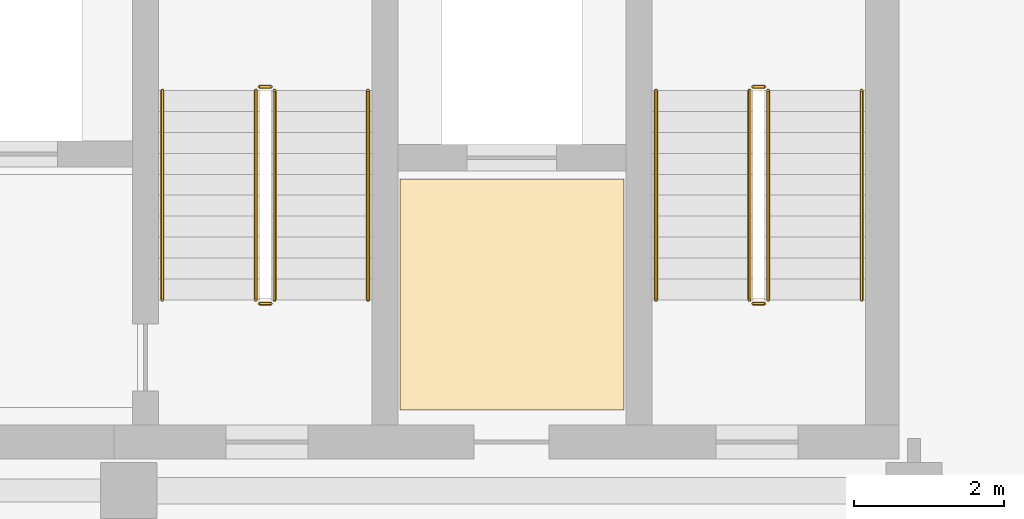
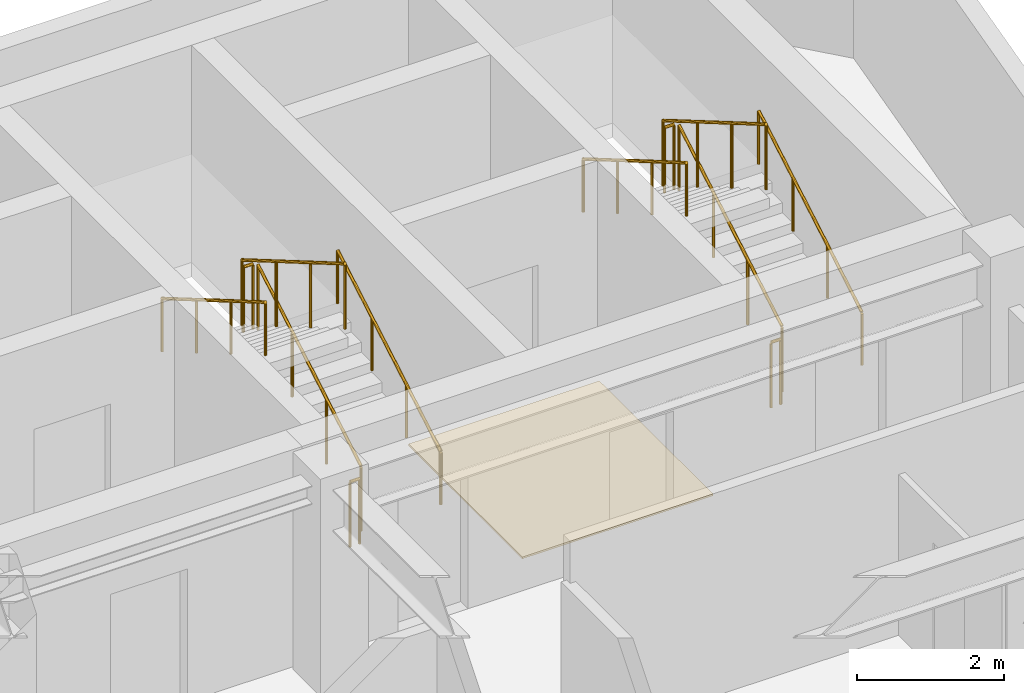
# One storey, part 17 of 17: 12 railings, 1 covering.
"""IFC4 building model written with IfcOpenShell, lengths in metres."""

from ifc_helpers import new_model, si_unit, direction, frame, origin, origin_2d, place, context, subcontext, project, spatial, polyline, circle, outline, extrude, material, layer, layer_set, type_object, element, save


model = new_model("IFC4")

# Units and contexts
model_context = context("Model", 3, precision=1e-05, world=origin(), true_north=direction((0.0, 1.0)))
body_context = subcontext(model_context, "Body", "Model", "MODEL_VIEW")
ifc_project = project(units=[si_unit("LENGTHUNIT", "METRE"), si_unit("AREAUNIT", "SQUARE_METRE"), si_unit("VOLUMEUNIT", "CUBIC_METRE"), si_unit("PLANEANGLEUNIT", "RADIAN"), si_unit("MASSUNIT", "GRAM", prefix="KILO")], contexts=[model_context])

# Site, building, storey
site_placement = place(None, origin())
site = spatial("IfcSite", under=ifc_project, at=site_placement, CompositionType="ELEMENT")
building_placement = place(site_placement, origin())
building = spatial("IfcBuilding", under=site, at=building_placement, Name="Kravanh Interchange Tower", CompositionType="ELEMENT")
storey_placement = place(building_placement, frame((0.0, 0.0, 256.199951171875)))
storey = spatial("IfcBuildingStorey", under=building, at=storey_placement, Name="L62", CompositionType="ELEMENT", Elevation=256.199951171875)

# Covering
ifc_material_1 = material(Name="Cementitious Terrazzo Tile")
ifc_layer_1 = layer(ifc_material_1, 0.030029296875)
ifc_layer_set_1 = layer_set([ifc_layer_1], Name="Honed Terrazzo Lobby Flooring 30mm")
covering_type = type_object("IfcCoveringType", Name="Honed Terrazzo Lobby Flooring 30mm", PredefinedType="FLOORING", material=ifc_layer_set_1)
covering_placement = place(storey_placement, origin())
element("IfcCovering", 1, at=covering_placement, inside=storey, type_object=covering_type, Name="L62 Service Lift Lobby Floor Finish", PredefinedType="FLOORING", context=body_context, shape_type="SweptSolid", body=[
    extrude(outline(polyline([(59.6298828125, 41.52001953125), (62.6201171875, 41.52001953125), (62.6201171875, 38.429931640625), (59.6298828125, 38.429931640625), (59.6298828125, 41.52001953125)])), origin(), (0.0, 0.0, 1.0), 0.030029296875),
])

# Railings
ifc_material_2 = material(Name="Structural Steel S355", Category="steel")
ifc_layer_2 = layer(ifc_material_2, 0.050048828125)
ifc_layer_set_2 = layer_set([ifc_layer_2], Name="Stair Well Guardrail Structural Steel S355 1100mm")
railing_type_1 = type_object("IfcRailingType", Name="Stair Well Guardrail Structural Steel S355 1100mm", PredefinedType="GUARDRAIL", material=ifc_layer_set_2)
railing_1_placement = place(storey_placement, frame((64.550048828125, 39.89990234375, 0.16357421875)))
element("IfcRailing", 2, at=railing_1_placement, inside=storey, type_object=railing_type_1, Name="L62 ST1 stair guard 1", PredefinedType="GUARDRAIL", context=body_context, shape_type="SweptSolid", body=[
    extrude(circle(Radius=0.02392578125, at=origin_2d()), frame((0.0, 0.0, 1.076171875), z_axis=(0.0, 0.863360870873, 0.504586966384), x_axis=(-1.0, 0.0, 0.0)), (0.0, 0.0, 1.0), 3.2431640625),
    extrude(circle(Radius=0.02099609375, at=origin_2d()), origin(), (0.0, 0.0, 1.0), 1.052001953125),
    extrude(circle(Radius=0.02099609375, at=origin_2d()), frame((0.0, 0.933349609375, 0.54541015625)), (0.0, 0.0, 1.0), 1.052001953125),
    extrude(circle(Radius=0.02099609375, at=origin_2d()), frame((0.0, 1.86669921875, 1.091064453125)), (0.0, 0.0, 1.0), 1.052001953125),
    extrude(circle(Radius=0.02099609375, at=origin_2d()), frame((0.0, 2.800048828125, 1.636474609375)), (0.0, 0.0, 1.0), 1.052001953125),
])
railing_2_placement = place(storey_placement, frame((64.5, 42.75, 1.800048828125)))
element("IfcRailing", 3, at=railing_2_placement, inside=storey, type_object=railing_type_1, Name="L62 ST1 stair guard 2", PredefinedType="GUARDRAIL", context=body_context, shape_type="SweptSolid", body=[
    extrude(circle(Radius=0.02392578125, at=origin_2d()), frame((0.0, 0.0, 1.076171875), z_axis=(-1.0, 0.0, 0.0), x_axis=(0.0, -1.0, 0.0)), (0.0, 0.0, 1.0), 0.14990234375),
    extrude(circle(Radius=0.02099609375, at=origin_2d()), origin(), (0.0, 0.0, 1.0), 1.052001953125),
    extrude(circle(Radius=0.02099609375, at=origin_2d()), frame((-0.14990234375, 0.0, 0.0)), (0.0, 0.0, 1.0), 1.052001953125),
])
railing_3_placement = place(storey_placement, frame((64.300048828125, 42.699951171875, 1.963623046875)))
element("IfcRailing", 4, at=railing_3_placement, inside=storey, type_object=railing_type_1, Name="L62 ST1 stair guard 3", PredefinedType="GUARDRAIL", context=body_context, shape_type="SweptSolid", body=[
    extrude(circle(Radius=0.02392578125, at=origin_2d()), frame((0.0, 0.0, 1.076171875), z_axis=(0.0, -0.863360870873, 0.504586966384), x_axis=(1.0, 0.0, 0.0)), (0.0, 0.0, 1.0), 3.2431640625),
    extrude(circle(Radius=0.02099609375, at=origin_2d()), origin(), (0.0, 0.0, 1.0), 1.052001953125),
    extrude(circle(Radius=0.02099609375, at=origin_2d()), frame((0.0, -0.933349609375, 0.54541015625)), (0.0, 0.0, 1.0), 1.052001953125),
    extrude(circle(Radius=0.02099609375, at=origin_2d()), frame((0.0, -1.86669921875, 1.091064453125)), (0.0, 0.0, 1.0), 1.052001953125),
    extrude(circle(Radius=0.02099609375, at=origin_2d()), frame((0.0, -2.800048828125, 1.636474609375)), (0.0, 0.0, 1.0), 1.052001953125),
])
railing_4_placement = place(storey_placement, frame((64.5, 39.85009765625, 0.0)))
element("IfcRailing", 5, at=railing_4_placement, inside=storey, type_object=railing_type_1, Name="L62 ST1 stair guard 4", PredefinedType="GUARDRAIL", context=body_context, shape_type="SweptSolid", body=[
    extrude(circle(Radius=0.02392578125, at=origin_2d()), frame((0.0, 0.0, 1.076171875), z_axis=(-1.0, 0.0, 0.0), x_axis=(0.0, -1.0, 0.0)), (0.0, 0.0, 1.0), 0.14990234375),
    extrude(circle(Radius=0.02099609375, at=origin_2d()), origin(), (0.0, 0.0, 1.0), 1.052001953125),
    extrude(circle(Radius=0.02099609375, at=origin_2d()), frame((-0.14990234375, 0.0, 0.0)), (0.0, 0.0, 1.0), 1.052001953125),
])
railing_5_placement = place(storey_placement, frame((57.949951171875, 39.89990234375, 0.16357421875)))
element("IfcRailing", 6, at=railing_5_placement, inside=storey, type_object=railing_type_1, Name="L62 ST2 stair guard 1", PredefinedType="GUARDRAIL", context=body_context, shape_type="SweptSolid", body=[
    extrude(circle(Radius=0.02392578125, at=origin_2d()), frame((0.0, 0.0, 1.076171875), z_axis=(0.0, 0.863360870873, 0.504586966384), x_axis=(-1.0, 0.0, 0.0)), (0.0, 0.0, 1.0), 3.2431640625),
    extrude(circle(Radius=0.02099609375, at=origin_2d()), origin(), (0.0, 0.0, 1.0), 1.052001953125),
    extrude(circle(Radius=0.02099609375, at=origin_2d()), frame((0.0, 0.933349609375, 0.54541015625)), (0.0, 0.0, 1.0), 1.052001953125),
    extrude(circle(Radius=0.02099609375, at=origin_2d()), frame((0.0, 1.86669921875, 1.091064453125)), (0.0, 0.0, 1.0), 1.052001953125),
    extrude(circle(Radius=0.02099609375, at=origin_2d()), frame((0.0, 2.800048828125, 1.636474609375)), (0.0, 0.0, 1.0), 1.052001953125),
])
railing_6_placement = place(storey_placement, frame((57.89990234375, 42.75, 1.800048828125)))
element("IfcRailing", 7, at=railing_6_placement, inside=storey, type_object=railing_type_1, Name="L62 ST2 stair guard 2", PredefinedType="GUARDRAIL", context=body_context, shape_type="SweptSolid", body=[
    extrude(circle(Radius=0.02392578125, at=origin_2d()), frame((0.0, 0.0, 1.076171875), z_axis=(-1.0, 0.0, 0.0), x_axis=(0.0, -1.0, 0.0)), (0.0, 0.0, 1.0), 0.14990234375),
    extrude(circle(Radius=0.02099609375, at=origin_2d()), origin(), (0.0, 0.0, 1.0), 1.052001953125),
    extrude(circle(Radius=0.02099609375, at=origin_2d()), frame((-0.14990234375, 0.0, 0.0)), (0.0, 0.0, 1.0), 1.052001953125),
])
railing_7_placement = place(storey_placement, frame((57.699951171875, 42.699951171875, 1.963623046875)))
element("IfcRailing", 8, at=railing_7_placement, inside=storey, type_object=railing_type_1, Name="L62 ST2 stair guard 3", PredefinedType="GUARDRAIL", context=body_context, shape_type="SweptSolid", body=[
    extrude(circle(Radius=0.02392578125, at=origin_2d()), frame((0.0, 0.0, 1.076171875), z_axis=(0.0, -0.863360870873, 0.504586966384), x_axis=(1.0, 0.0, 0.0)), (0.0, 0.0, 1.0), 3.2431640625),
    extrude(circle(Radius=0.02099609375, at=origin_2d()), origin(), (0.0, 0.0, 1.0), 1.052001953125),
    extrude(circle(Radius=0.02099609375, at=origin_2d()), frame((0.0, -0.933349609375, 0.54541015625)), (0.0, 0.0, 1.0), 1.052001953125),
    extrude(circle(Radius=0.02099609375, at=origin_2d()), frame((0.0, -1.86669921875, 1.091064453125)), (0.0, 0.0, 1.0), 1.052001953125),
    extrude(circle(Radius=0.02099609375, at=origin_2d()), frame((0.0, -2.800048828125, 1.636474609375)), (0.0, 0.0, 1.0), 1.052001953125),
])
railing_8_placement = place(storey_placement, frame((57.89990234375, 39.85009765625, 0.0)))
element("IfcRailing", 9, at=railing_8_placement, inside=storey, type_object=railing_type_1, Name="L62 ST2 stair guard 4", PredefinedType="GUARDRAIL", context=body_context, shape_type="SweptSolid", body=[
    extrude(circle(Radius=0.02392578125, at=origin_2d()), frame((0.0, 0.0, 1.076171875), z_axis=(-1.0, 0.0, 0.0), x_axis=(0.0, -1.0, 0.0)), (0.0, 0.0, 1.0), 0.14990234375),
    extrude(circle(Radius=0.02099609375, at=origin_2d()), origin(), (0.0, 0.0, 1.0), 1.052001953125),
    extrude(circle(Radius=0.02099609375, at=origin_2d()), frame((-0.14990234375, 0.0, 0.0)), (0.0, 0.0, 1.0), 1.052001953125),
])
ifc_material_3 = material(Name="Stainless Steel 304", Category="steel")
ifc_layer_3 = layer(ifc_material_3, 0.044921875)
ifc_layer_set_3 = layer_set([ifc_layer_3], Name="Tubular Stair Handrail Stainless 304 900mm")
railing_type_2 = type_object("IfcRailingType", Name="Tubular Stair Handrail Stainless 304 900mm", PredefinedType="HANDRAIL", material=ifc_layer_set_3)
railing_9_placement = place(storey_placement, frame((65.800048828125, 39.89990234375, 0.16357421875)))
element("IfcRailing", 10, at=railing_9_placement, inside=storey, type_object=railing_type_2, Name="L62 ST1 stair handrail 1", PredefinedType="HANDRAIL", context=body_context, shape_type="SweptSolid", body=[
    extrude(circle(Radius=0.02392578125, at=origin_2d()), frame((0.0, 0.0, 0.8759765625), z_axis=(0.0, 0.863360870873, 0.504586966384), x_axis=(-1.0, 0.0, 0.0)), (0.0, 0.0, 1.0), 3.2431640625),
    extrude(circle(Radius=0.02099609375, at=origin_2d()), origin(), (0.0, 0.0, 1.0), 0.851806640625),
    extrude(circle(Radius=0.02099609375, at=origin_2d()), frame((0.0, 0.933349609375, 0.54541015625)), (0.0, 0.0, 1.0), 0.851806640625),
    extrude(circle(Radius=0.02099609375, at=origin_2d()), frame((0.0, 1.86669921875, 1.091064453125)), (0.0, 0.0, 1.0), 0.851806640625),
    extrude(circle(Radius=0.02099609375, at=origin_2d()), frame((0.0, 2.800048828125, 1.636474609375)), (0.0, 0.0, 1.0), 0.851806640625),
])
railing_10_placement = place(storey_placement, frame((63.050048828125, 42.699951171875, 1.963623046875)))
element("IfcRailing", 11, at=railing_10_placement, inside=storey, type_object=railing_type_2, Name="L62 ST1 stair handrail 2", PredefinedType="HANDRAIL", context=body_context, shape_type="SweptSolid", body=[
    extrude(circle(Radius=0.02392578125, at=origin_2d()), frame((0.0, 0.0, 0.8759765625), z_axis=(0.0, -0.863360870873, 0.504586966384), x_axis=(1.0, 0.0, 0.0)), (0.0, 0.0, 1.0), 3.2431640625),
    extrude(circle(Radius=0.02099609375, at=origin_2d()), origin(), (0.0, 0.0, 1.0), 0.851806640625),
    extrude(circle(Radius=0.02099609375, at=origin_2d()), frame((0.0, -0.933349609375, 0.54541015625)), (0.0, 0.0, 1.0), 0.851806640625),
    extrude(circle(Radius=0.02099609375, at=origin_2d()), frame((0.0, -1.86669921875, 1.091064453125)), (0.0, 0.0, 1.0), 0.851806640625),
    extrude(circle(Radius=0.02099609375, at=origin_2d()), frame((0.0, -2.800048828125, 1.636474609375)), (0.0, 0.0, 1.0), 0.851806640625),
])
railing_11_placement = place(storey_placement, frame((59.199951171875, 39.89990234375, 0.16357421875)))
element("IfcRailing", 12, at=railing_11_placement, inside=storey, type_object=railing_type_2, Name="L62 ST2 stair handrail 1", PredefinedType="HANDRAIL", context=body_context, shape_type="SweptSolid", body=[
    extrude(circle(Radius=0.02392578125, at=origin_2d()), frame((0.0, 0.0, 0.8759765625), z_axis=(0.0, 0.863360870873, 0.504586966384), x_axis=(-1.0, 0.0, 0.0)), (0.0, 0.0, 1.0), 3.2431640625),
    extrude(circle(Radius=0.02099609375, at=origin_2d()), origin(), (0.0, 0.0, 1.0), 0.851806640625),
    extrude(circle(Radius=0.02099609375, at=origin_2d()), frame((0.0, 0.933349609375, 0.54541015625)), (0.0, 0.0, 1.0), 0.851806640625),
    extrude(circle(Radius=0.02099609375, at=origin_2d()), frame((0.0, 1.86669921875, 1.091064453125)), (0.0, 0.0, 1.0), 0.851806640625),
    extrude(circle(Radius=0.02099609375, at=origin_2d()), frame((0.0, 2.800048828125, 1.636474609375)), (0.0, 0.0, 1.0), 0.851806640625),
])
railing_12_placement = place(storey_placement, frame((56.449951171875, 42.699951171875, 1.963623046875)))
element("IfcRailing", 13, at=railing_12_placement, inside=storey, type_object=railing_type_2, Name="L62 ST2 stair handrail 2", PredefinedType="HANDRAIL", context=body_context, shape_type="SweptSolid", body=[
    extrude(circle(Radius=0.02392578125, at=origin_2d()), frame((0.0, 0.0, 0.8759765625), z_axis=(0.0, -0.863360870873, 0.504586966384), x_axis=(1.0, 0.0, 0.0)), (0.0, 0.0, 1.0), 3.2431640625),
    extrude(circle(Radius=0.02099609375, at=origin_2d()), origin(), (0.0, 0.0, 1.0), 0.851806640625),
    extrude(circle(Radius=0.02099609375, at=origin_2d()), frame((0.0, -0.933349609375, 0.54541015625)), (0.0, 0.0, 1.0), 0.851806640625),
    extrude(circle(Radius=0.02099609375, at=origin_2d()), frame((0.0, -1.86669921875, 1.091064453125)), (0.0, 0.0, 1.0), 0.851806640625),
    extrude(circle(Radius=0.02099609375, at=origin_2d()), frame((0.0, -2.800048828125, 1.636474609375)), (0.0, 0.0, 1.0), 0.851806640625),
])

save(model, "model.ifc")
